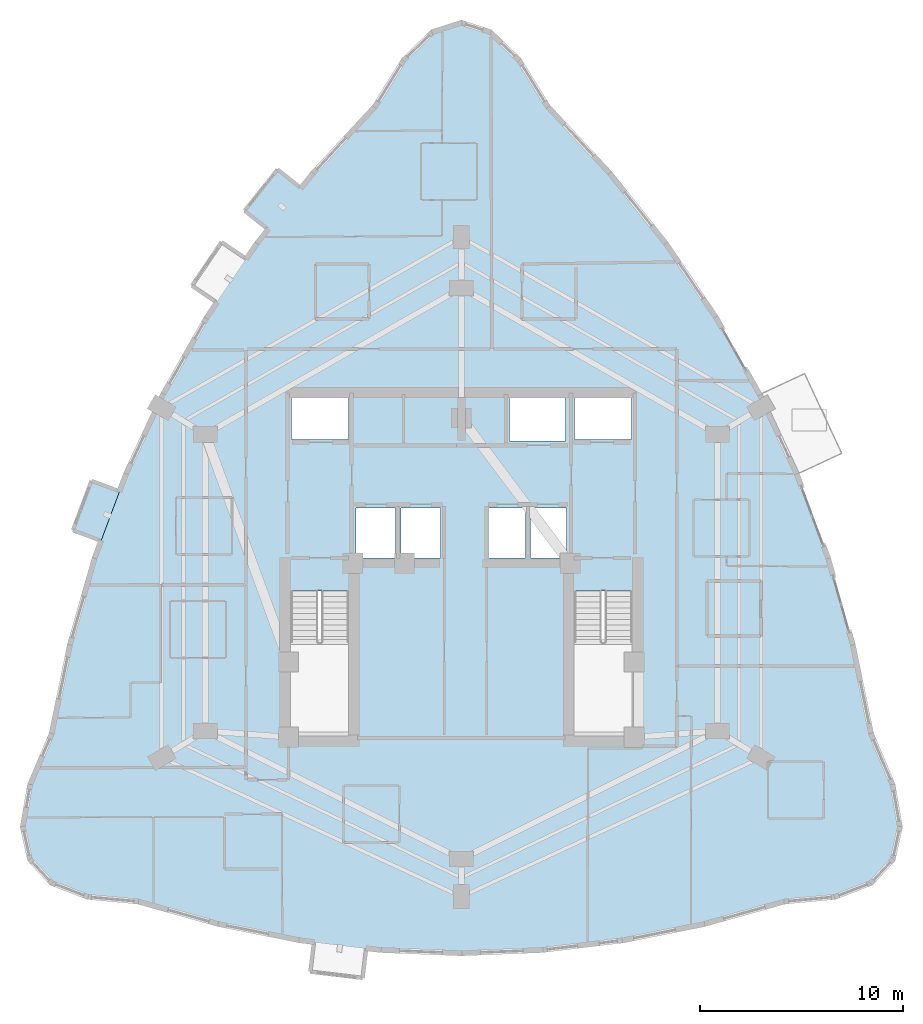
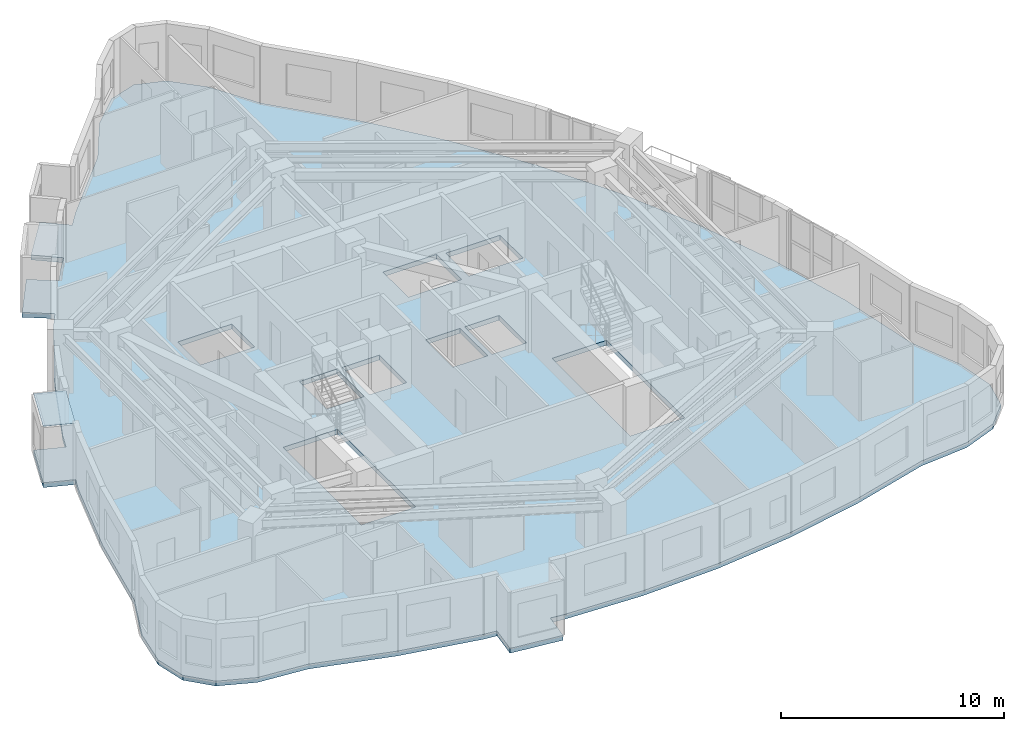
# One storey, part 5 of 14: 1 plate, 1 slab.
"""IFC4 building model written with IfcOpenShell, lengths in metres."""

from ifc_helpers import new_model, si_unit, direction, frame, origin, place, context, subcontext, project, spatial, polyline, outline, extrude, material, layer, layer_set, type_object, element, save


model = new_model("IFC4")

# Units and contexts
model_context = context("Model", 3, precision=1e-05, world=origin(), true_north=direction((0.0, 1.0)))
body_context = subcontext(model_context, "Body", "Model", "MODEL_VIEW")
ifc_project = project(units=[si_unit("LENGTHUNIT", "METRE"), si_unit("AREAUNIT", "SQUARE_METRE"), si_unit("VOLUMEUNIT", "CUBIC_METRE"), si_unit("PLANEANGLEUNIT", "RADIAN"), si_unit("MASSUNIT", "GRAM", prefix="KILO")], contexts=[model_context])

# Site, building, storey
site_placement = place(None, origin())
site = spatial("IfcSite", under=ifc_project, at=site_placement, CompositionType="ELEMENT")
building_placement = place(site_placement, origin())
building = spatial("IfcBuilding", under=site, at=building_placement, Name="Miruveldt Soraemaru", CompositionType="ELEMENT")
storey_placement = place(building_placement, frame((0.0, 0.0, 142.39990234375)))
storey = spatial("IfcBuildingStorey", under=building, at=storey_placement, Name="L39", CompositionType="ELEMENT", Elevation=142.39990234375)

# Plate
ifc_material_1 = material(Name="Standing-seam titanium-zinc sheet", Category="aluminium")
ifc_layer_1 = layer(ifc_material_1, 0.011962890625, Name="Standing-seam titanium-zinc sheet", Category="aluminium")
ifc_layer_set_1 = layer_set([ifc_layer_1], Name="Standing-seam titanium-zinc sheet")
plate_type = type_object("IfcPlateType", Name="PLT-ZINC-12", PredefinedType="SHEET", material=ifc_layer_set_1)
plate_placement = place(storey_placement, frame((0.0, 0.0, 3.085205078125)))
element("IfcPlate", 1, at=plate_placement, inside=storey, type_object=plate_type, Name="L39 Bay Window Zinc Hood Sheet 1", PredefinedType="SHEET", context=body_context, shape_type="SweptSolid", body=[
    extrude(outline(polyline([(27.18359375, 47.59521484375), (26.2763671875, 45.15869140625), (24.889404296875, 45.67529296875), (25.796875, 48.11181640625), (27.18359375, 47.59521484375)])), origin(), (0.0, 0.0, 1.0), 0.011962890625),
])

# Slab
ifc_material_2 = material(Name="Concrete C40/50 (40 MPa)", Category="concrete")
ifc_layer_2 = layer(ifc_material_2, 0.264892578125, Name="Concrete C40/50 (40 MPa)", Category="concrete")
ifc_layer_set_2 = layer_set([ifc_layer_2], Name="Concrete C40/50 (40 MPa)")
slab_type = type_object("IfcSlabType", Name="SLAB-RES2-265", PredefinedType="FLOOR", material=ifc_layer_set_2)
slab_placement = place(storey_placement, frame((0.0, 0.0, -0.264892578125)))
element("IfcSlab", 2, at=slab_placement, inside=storey, type_object=slab_type, Name="L39 Structural Floor Slab", PredefinedType="FLOOR", context=body_context, shape_type="SweptSolid", body=[
    extrude(outline(polyline([(36.56591796875, 23.955810546875), (36.7421875, 25.42529296875), (38.032958984375, 25.2705078125), (36.043701171875, 25.509033203125), (32.065673828125, 26.3046875), (28.08740234375, 27.41845703125), (25.6103515625, 27.6474609375), (23.8408203125, 28.333984375), (22.779296875, 29.47802734375), (22.42529296875, 31.079833984375), (22.779296875, 33.139404296875), (23.8408203125, 35.656494140625), (24.74951171875, 40.072021484375), (25.967041015625, 44.328369140625), (26.2763671875, 45.15869140625), (24.889404296875, 45.67529296875), (25.796875, 48.11181640625), (27.18359375, 47.59521484375), (26.72998046875, 46.376953125), (27.492919921875, 48.425537109375), (29.32763671875, 52.36376953125), (31.47119140625, 56.142578125), (31.968017578125, 56.876220703125), (30.742919921875, 57.706298828125), (32.200927734375, 59.85888671875), (33.42626953125, 59.029052734375), (32.697021484375, 57.95263671875), (33.923095703125, 59.7626953125), (34.492919921875, 60.476806640625), (33.3359375, 61.399658203125), (34.957275390625, 63.43212890625), (36.1142578125, 62.50927734375), (35.3037109375, 61.492919921875), (36.68408203125, 63.223388671875), (39.75341796875, 66.52490234375), (41.1689453125, 68.813232421875), (42.58447265625, 70.186279296875), (44.0, 70.64404296875), (45.41552734375, 70.186279296875), (46.8310546875, 68.813232421875), (48.24658203125, 66.52490234375), (51.31591796875, 63.223388671875), (54.076904296875, 59.7626953125), (56.52880859375, 56.142578125), (58.67236328125, 52.36376953125), (60.507080078125, 48.425537109375), (62.032958984375, 44.328369140625), (63.25048828125, 40.072021484375), (64.1591796875, 35.656494140625), (65.220703125, 33.139404296875), (65.57470703125, 31.079833984375), (65.220703125, 29.47802734375), (64.1591796875, 28.333984375), (62.3896484375, 27.6474609375), (59.91259765625, 27.41845703125), (55.934326171875, 26.3046875), (51.956298828125, 25.509033203125), (47.97802734375, 25.03173828125), (44.0, 24.87255859375), (40.02197265625, 25.03173828125), (39.323486328125, 25.115478515625), (39.147216796875, 23.64599609375), (36.56591796875, 23.955810546875)]), holes=[polyline([(35.614990234375, 35.6650390625), (38.43505859375, 35.6650390625), (38.43505859375, 42.68505859375), (35.614990234375, 42.68505859375), (35.614990234375, 35.6650390625)]), polyline([(49.56494140625, 35.6650390625), (52.385009765625, 35.6650390625), (52.385009765625, 42.68505859375), (49.56494140625, 42.68505859375), (49.56494140625, 35.6650390625)]), polyline([(40.764892578125, 44.31494140625), (40.764892578125, 46.784912109375), (38.81494140625, 46.784912109375), (38.81494140625, 44.31494140625), (40.764892578125, 44.31494140625)]), polyline([(42.965087890625, 44.31494140625), (42.965087890625, 46.784912109375), (41.034912109375, 46.784912109375), (41.034912109375, 44.31494140625), (42.965087890625, 44.31494140625)]), polyline([(47.1650390625, 44.31494140625), (47.1650390625, 46.784912109375), (45.364990234375, 46.784912109375), (45.364990234375, 44.31494140625), (47.1650390625, 44.31494140625)]), polyline([(49.18505859375, 44.31494140625), (49.18505859375, 46.784912109375), (47.39501953125, 46.784912109375), (47.39501953125, 44.31494140625), (49.18505859375, 44.31494140625)]), polyline([(38.445068359375, 50.135009765625), (38.445068359375, 52.205078125), (35.635009765625, 52.205078125), (35.635009765625, 50.135009765625), (38.445068359375, 50.135009765625)]), polyline([(49.554931640625, 50.135009765625), (52.364990234375, 50.135009765625), (52.364990234375, 52.205078125), (49.554931640625, 52.205078125), (49.554931640625, 50.135009765625)]), polyline([(46.364990234375, 50.06494140625), (49.135009765625, 50.06494140625), (49.135009765625, 52.3349609375), (46.364990234375, 52.3349609375), (46.364990234375, 50.06494140625)])]), origin(), (0.0, 0.0, 1.0), 0.264892578125),
])

save(model, "model.ifc")
